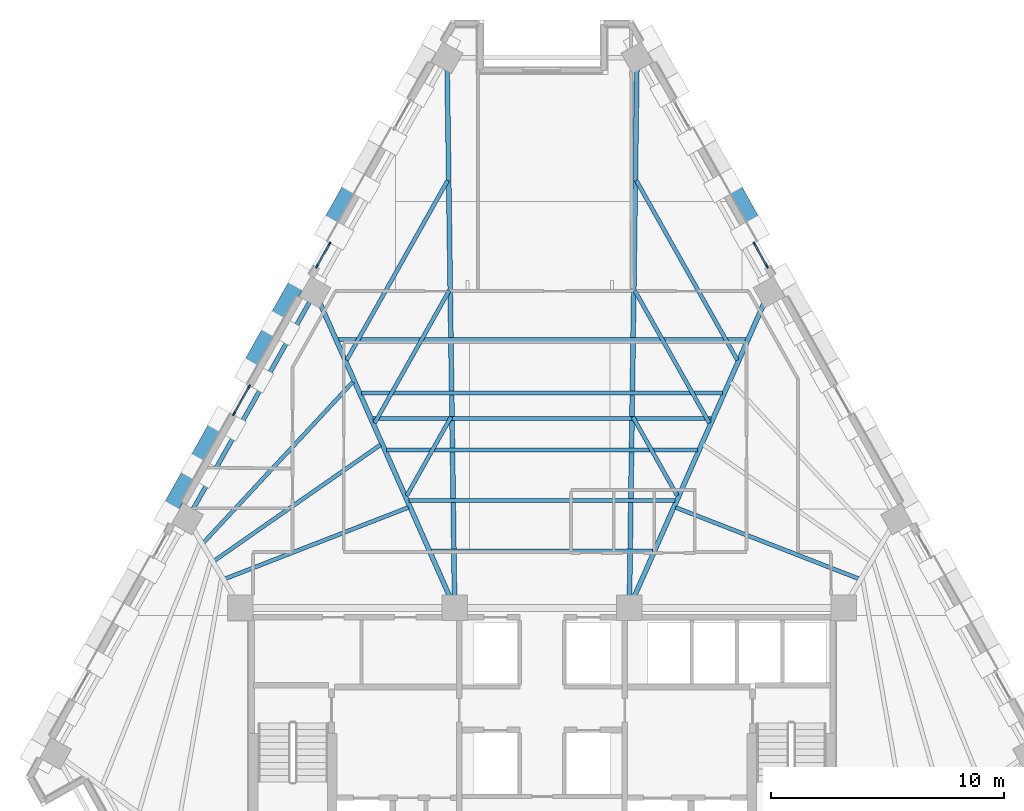
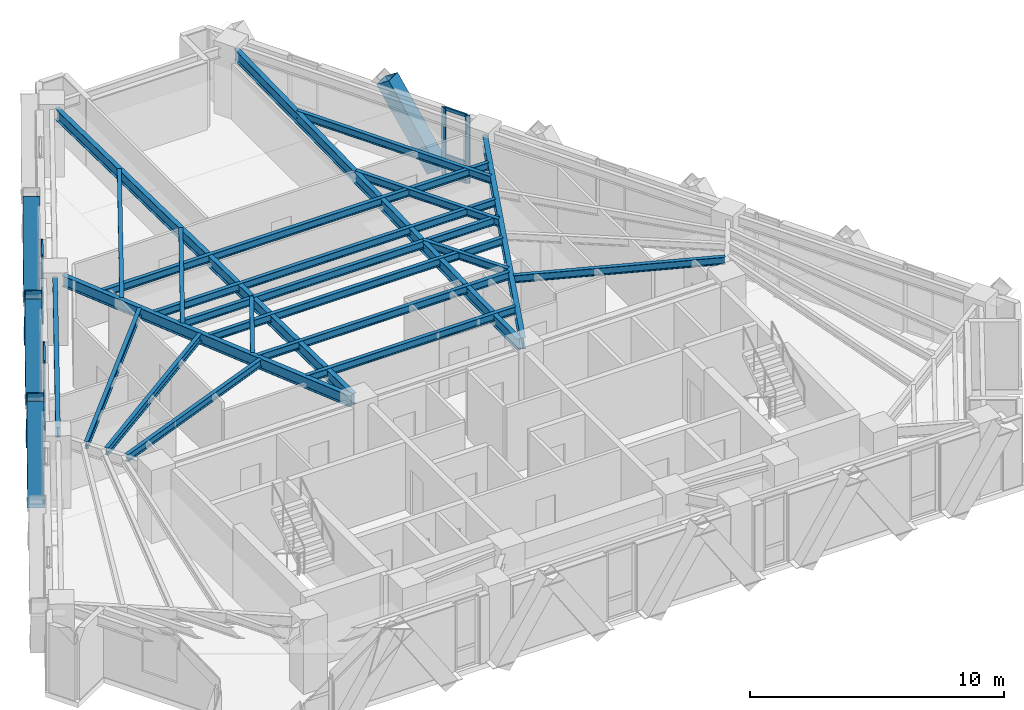
# One storey, part 3 of 13: 21 beams, 21 members, 3 elements without a shape of their own.
"""IFC4 building model written with IfcOpenShell, lengths in metres."""

from ifc_helpers import new_model, si_unit, direction, frame, origin, origin_2d, place, context, subcontext, project, spatial, rectangle, hollow_rectangle, i_section, extrude, material, material_profile, profile_set, type_object, element, aggregate, save


model = new_model("IFC4")

# Units and contexts
model_context = context("Model", 3, precision=1e-05, world=origin(), true_north=direction((0.0, 1.0)))
body_context = subcontext(model_context, "Body", "Model", "MODEL_VIEW")
ifc_project = project(units=[si_unit("LENGTHUNIT", "METRE"), si_unit("AREAUNIT", "SQUARE_METRE"), si_unit("VOLUMEUNIT", "CUBIC_METRE"), si_unit("PLANEANGLEUNIT", "RADIAN"), si_unit("MASSUNIT", "GRAM", prefix="KILO")], contexts=[model_context])

# Site, building, storey
site_placement = place(None, origin())
site = spatial("IfcSite", under=ifc_project, at=site_placement, CompositionType="ELEMENT")
building_placement = place(site_placement, origin())
building = spatial("IfcBuilding", under=site, at=building_placement, Name="Quenlor Broadcast Tower", CompositionType="ELEMENT")
storey_placement = place(building_placement, frame((0.0, 0.0, 158.0)))
storey = spatial("IfcBuildingStorey", under=building, at=storey_placement, Name="L43", CompositionType="ELEMENT", Elevation=158.0)

# Curtain wall, members
ifc_material_1 = material(Name="Architectural Terracotta and Low-E Glazing", Category="masonry")
curtain_wall_type = type_object("IfcCurtainWallType", Name="Unitised Terracotta Curtain Wall System Z3", PredefinedType="NOTDEFINED", material=ifc_material_1)
curtain_wall_1_placement = place(storey_placement, origin())
curtain_wall_1 = element("IfcCurtainWall", 1, at=curtain_wall_1_placement, inside=storey, type_object=curtain_wall_type, Name="L43 Curtain Wall CW3 (L43-NEA-G2)", PredefinedType="NOTDEFINED")
ifc_material_2 = material(Name="Aluminium 6063-T6", Category="aluminium")
ifc_material_profile_1 = material_profile(ifc_material_2, rectangle(XDim=0.070068359375, YDim=0.18994140625, at=origin_2d()))
ifc_profile_set_1 = profile_set([ifc_material_profile_1], Name="Aluminium 6063-T6 MULL70x190")
member_type_1 = type_object("IfcMemberType", Name="CW3 Aluminium Mullion MULL_CW3", PredefinedType="MULLION", material=ifc_profile_set_1)
member_1_placement = place(storey_placement, frame((9.1259765625, 10.8193359375, 0.0), z_axis=(0.0, 0.0, 1.0), x_axis=(0.871601010924, 0.490215950125, 0.0)))
member_1 = element("IfcMember", 2, at=member_1_placement, type_object=member_type_1, Name="CW3 mullion 1", PredefinedType="MULLION", context=body_context, shape_type="SweptSolid", body=[
    extrude(rectangle(XDim=0.070068359375, YDim=0.18994140625, at=origin_2d()), origin(), (0.0, 0.0, 1.0), 3.25),
])
member_2_placement = place(storey_placement, frame((9.656982421875, 9.875244140625, 0.0), z_axis=(0.0, 0.0, 1.0), x_axis=(0.871601010924, 0.490215950125, 0.0)))
member_2 = element("IfcMember", 3, at=member_2_placement, type_object=member_type_1, Name="CW3 mullion 2", PredefinedType="MULLION", context=body_context, shape_type="SweptSolid", body=[
    extrude(rectangle(XDim=0.070068359375, YDim=0.18994140625, at=origin_2d()), origin(), (0.0, 0.0, 1.0), 3.25),
])

curtain_wall_2_placement = place(storey_placement, origin())
curtain_wall_2 = element("IfcCurtainWall", 4, at=curtain_wall_2_placement, inside=storey, type_object=curtain_wall_type, Name="L43 Curtain Wall CW3 (L43-NWC-G1)", PredefinedType="NOTDEFINED")
member_3_placement = place(storey_placement, frame((-9.656982421875, 9.875244140625, 0.0), z_axis=(0.0, 0.0, 1.0), x_axis=(-0.871601010924, 0.490215950125, 0.0)))
member_3 = element("IfcMember", 5, at=member_3_placement, type_object=member_type_1, Name="CW3 mullion 1", PredefinedType="MULLION", context=body_context, shape_type="SweptSolid", body=[
    extrude(rectangle(XDim=0.070068359375, YDim=0.18994140625, at=origin_2d()), origin(), (0.0, 0.0, 1.0), 3.25),
])
member_4_placement = place(storey_placement, frame((-9.1259765625, 10.8193359375, 0.0), z_axis=(0.0, 0.0, 1.0), x_axis=(-0.871601010924, 0.490215950125, 0.0)))
member_4 = element("IfcMember", 6, at=member_4_placement, type_object=member_type_1, Name="CW3 mullion 2", PredefinedType="MULLION", context=body_context, shape_type="SweptSolid", body=[
    extrude(rectangle(XDim=0.070068359375, YDim=0.18994140625, at=origin_2d()), origin(), (0.0, 0.0, 1.0), 3.25),
])

curtain_wall_3_placement = place(storey_placement, origin())
curtain_wall_3 = element("IfcCurtainWall", 7, at=curtain_wall_3_placement, inside=storey, type_object=curtain_wall_type, Name="L43 Curtain Wall CW3 (L43-NW-G1)", PredefinedType="NOTDEFINED")
member_5_placement = place(storey_placement, frame((-13.220947265625, 3.5390625, 0.0), z_axis=(0.0, 0.0, 1.0), x_axis=(-0.871562085714, 0.490285152484, 0.0)))
member_5 = element("IfcMember", 8, at=member_5_placement, type_object=member_type_1, Name="CW3 mullion 1", PredefinedType="MULLION", context=body_context, shape_type="SweptSolid", body=[
    extrude(rectangle(XDim=0.070068359375, YDim=0.18994140625, at=origin_2d()), origin(), (0.0, 0.0, 1.0), 3.25),
])
member_6_placement = place(storey_placement, frame((-12.573974609375, 4.689208984375, 0.0), z_axis=(0.0, 0.0, 1.0), x_axis=(-0.871562085714, 0.490285152484, 0.0)))
member_6 = element("IfcMember", 9, at=member_6_placement, type_object=member_type_1, Name="CW3 mullion 2", PredefinedType="MULLION", context=body_context, shape_type="SweptSolid", body=[
    extrude(rectangle(XDim=0.070068359375, YDim=0.18994140625, at=origin_2d()), origin(), (0.0, 0.0, 1.0), 3.25),
])

# Member
ifc_material_3 = material(Name="Aluminium 6063-T6", Category="aluminium")
ifc_material_profile_2 = material_profile(ifc_material_3, rectangle(XDim=0.070068359375, YDim=0.155029296875, at=origin_2d()))
ifc_profile_set_2 = profile_set([ifc_material_profile_2], Name="Aluminium 6063-T6 TRAN70x155")
member_type_2 = type_object("IfcMemberType", Name="CW3 Aluminium Transom TRAN_CW3", PredefinedType="USERDEFINED", material=ifc_profile_set_2)
member_7_placement = place(storey_placement, frame((9.14306640625, 10.788818359375, 0.034912109375), z_axis=(0.490341317219, -0.871530488639, 0.0), x_axis=(0.871530488639, 0.490341317219, 0.0)))
member_7 = element("IfcMember", 10, at=member_7_placement, type_object=member_type_2, Name="CW3 transom 1.1", ObjectType="TRANSOM", PredefinedType="USERDEFINED", context=body_context, shape_type="SweptSolid", body=[
    extrude(rectangle(XDim=0.070068359375, YDim=0.155029296875, at=origin_2d()), origin(), (0.0, 0.0, 1.0), 1.01318359375),
])

member_8_placement = place(storey_placement, frame((9.14306640625, 10.788818359375, 0.949951171875), z_axis=(0.490341317219, -0.871530488639, 0.0), x_axis=(0.871530488639, 0.490341317219, 0.0)))
member_8 = element("IfcMember", 11, at=member_8_placement, type_object=member_type_2, Name="CW3 transom 1.2", ObjectType="TRANSOM", PredefinedType="USERDEFINED", context=body_context, shape_type="SweptSolid", body=[
    extrude(rectangle(XDim=0.070068359375, YDim=0.155029296875, at=origin_2d()), origin(), (0.0, 0.0, 1.0), 1.01318359375),
])

member_9_placement = place(storey_placement, frame((9.14306640625, 10.788818359375, 3.215087890625), z_axis=(0.490341317219, -0.871530488639, 0.0), x_axis=(0.871530488639, 0.490341317219, 0.0)))
member_9 = element("IfcMember", 12, at=member_9_placement, type_object=member_type_2, Name="CW3 transom 1.3", ObjectType="TRANSOM", PredefinedType="USERDEFINED", context=body_context, shape_type="SweptSolid", body=[
    extrude(rectangle(XDim=0.070068359375, YDim=0.155029296875, at=origin_2d()), origin(), (0.0, 0.0, 1.0), 1.01318359375),
])

aggregate(curtain_wall_1, [member_1, member_2, member_7, member_8, member_9])

member_10_placement = place(storey_placement, frame((-9.639892578125, 9.90576171875, 0.034912109375), z_axis=(0.490341317219, 0.871530488639, 0.0), x_axis=(-0.871530488639, 0.490341317219, 0.0)))
member_10 = element("IfcMember", 13, at=member_10_placement, type_object=member_type_2, Name="CW3 transom 1.1", ObjectType="TRANSOM", PredefinedType="USERDEFINED", context=body_context, shape_type="SweptSolid", body=[
    extrude(rectangle(XDim=0.070068359375, YDim=0.155029296875, at=origin_2d()), origin(), (0.0, 0.0, 1.0), 1.01318359375),
])

member_11_placement = place(storey_placement, frame((-9.639892578125, 9.90576171875, 0.949951171875), z_axis=(0.490341317219, 0.871530488639, 0.0), x_axis=(-0.871530488639, 0.490341317219, 0.0)))
member_11 = element("IfcMember", 14, at=member_11_placement, type_object=member_type_2, Name="CW3 transom 1.2", ObjectType="TRANSOM", PredefinedType="USERDEFINED", context=body_context, shape_type="SweptSolid", body=[
    extrude(rectangle(XDim=0.070068359375, YDim=0.155029296875, at=origin_2d()), origin(), (0.0, 0.0, 1.0), 1.01318359375),
])

member_12_placement = place(storey_placement, frame((-9.639892578125, 9.90576171875, 3.215087890625), z_axis=(0.490341317219, 0.871530488639, 0.0), x_axis=(-0.871530488639, 0.490341317219, 0.0)))
member_12 = element("IfcMember", 15, at=member_12_placement, type_object=member_type_2, Name="CW3 transom 1.3", ObjectType="TRANSOM", PredefinedType="USERDEFINED", context=body_context, shape_type="SweptSolid", body=[
    extrude(rectangle(XDim=0.070068359375, YDim=0.155029296875, at=origin_2d()), origin(), (0.0, 0.0, 1.0), 1.01318359375),
])

aggregate(curtain_wall_2, [member_3, member_4, member_10, member_11, member_12])

member_13_placement = place(storey_placement, frame((-13.203857421875, 3.569580078125, 0.034912109375), z_axis=(0.490363266059, 0.871518139398, 0.0), x_axis=(-0.871518139398, 0.490363266059, 0.0)))
member_13 = element("IfcMember", 16, at=member_13_placement, type_object=member_type_2, Name="CW3 transom 1.1", ObjectType="TRANSOM", PredefinedType="USERDEFINED", context=body_context, shape_type="SweptSolid", body=[
    extrude(rectangle(XDim=0.070068359375, YDim=0.155029296875, at=origin_2d()), origin(), (0.0, 0.0, 1.0), 1.249755859375),
])

member_14_placement = place(storey_placement, frame((-13.203857421875, 3.569580078125, 0.949951171875), z_axis=(0.490363266059, 0.871518139398, 0.0), x_axis=(-0.871518139398, 0.490363266059, 0.0)))
member_14 = element("IfcMember", 17, at=member_14_placement, type_object=member_type_2, Name="CW3 transom 1.2", ObjectType="TRANSOM", PredefinedType="USERDEFINED", context=body_context, shape_type="SweptSolid", body=[
    extrude(rectangle(XDim=0.070068359375, YDim=0.155029296875, at=origin_2d()), origin(), (0.0, 0.0, 1.0), 1.249755859375),
])

member_15_placement = place(storey_placement, frame((-13.203857421875, 3.569580078125, 3.215087890625), z_axis=(0.490363266059, 0.871518139398, 0.0), x_axis=(-0.871518139398, 0.490363266059, 0.0)))
member_15 = element("IfcMember", 18, at=member_15_placement, type_object=member_type_2, Name="CW3 transom 1.3", ObjectType="TRANSOM", PredefinedType="USERDEFINED", context=body_context, shape_type="SweptSolid", body=[
    extrude(rectangle(XDim=0.070068359375, YDim=0.155029296875, at=origin_2d()), origin(), (0.0, 0.0, 1.0), 1.249755859375),
])

aggregate(curtain_wall_3, [member_5, member_6, member_13, member_14, member_15])

# Members
ifc_material_4 = material(Name="Steel S355", Category="steel")
ifc_material_profile_3 = material_profile(ifc_material_4, hollow_rectangle(XDim=0.679931640625, YDim=0.679931640625, WallThickness=0.02490234375, at=origin_2d()))
ifc_profile_set_3 = profile_set([ifc_material_profile_3], Name="Steel S355 RHS680x680x25")
member_type_3 = type_object("IfcMemberType", Name="Perimeter Diagonal Lattice Brace Z3-Z4 Steel S355 RHS680x25", PredefinedType="BRACE", material=ifc_profile_set_3)
for number, where, z_axis, x_axis, name in (
    (19, (9.212158203125, 11.4716796875, -0.1201171875), (-0.27060310517, 0.481001091283, 0.833913610428), (-0.871544572467, -0.490316283845, 0.0), "L43 Perimeter Diamond Lattice NE-C2B"),
    (20, (-16.1083984375, -0.7880859375, -0.1201171875), (0.27060310517, 0.481001091283, 0.833913610428), (-0.871544572467, 0.490316283845, 0.0), "L43 Perimeter Diamond Lattice NW-C2S"),
    (21, (-12.66015625, 5.341796875, -0.1201171875), (0.2705491942, 0.481008661973, 0.833926735766), (-0.871589611547, 0.490236217596, 0.0), "L43 Perimeter Diamond Lattice NW-C3S"),
    (22, (-13.823486328125, 3.27392578125, -0.1201171875), (-0.2705491942, -0.481008661973, 0.833926735766), (0.871589611547, -0.490236217596, 0.0), "L43 Perimeter Diamond Lattice NW-C3B"),
    (23, (-9.212158203125, 11.4716796875, -0.1201171875), (0.27060310517, 0.481001091283, 0.833913610428), (-0.871544572467, 0.490316283845, 0.0), "L43 Perimeter Diamond Lattice NW-C4S"),
    (24, (-10.375244140625, 9.40380859375, -0.1201171875), (-0.2705491942, -0.481008661973, 0.833926735766), (0.871589611547, -0.490236217596, 0.0), "L43 Perimeter Diamond Lattice NW-C4B"),
):
    element("IfcMember", number, at=place(storey_placement, frame(where, z_axis=z_axis, x_axis=x_axis)), inside=storey, type_object=member_type_3, Name=name, PredefinedType="BRACE", context=body_context, shape_type="SweptSolid", body=[
        extrude(hollow_rectangle(XDim=0.679931640625, YDim=0.679931640625, WallThickness=0.02490234375, at=origin_2d()), origin(), (0.0, 0.0, 1.0), 4.197021484375),
    ])

# Beams
ifc_material_5 = material(Name="Steel S355", Category="steel")
ifc_material_profile_4 = material_profile(ifc_material_5, i_section(OverallWidth=0.19091796875, OverallDepth=0.46044921875, WebThickness=0.010009765625, FlangeThickness=0.01611328125, FilletRadius=0.011474609375, at=origin_2d()))
ifc_profile_set_4 = profile_set([ifc_material_profile_4], Name="Steel S355 460UB82.1")
beam_type_1 = type_object("IfcBeamType", Name="Perimeter Spandrel Beam Z3 Steel S355 460UB82.1", PredefinedType="SPANDREL", material=ifc_profile_set_4)
beam_1_placement = place(storey_placement, frame((-9.944091796875, 8.39599609375, 3.019775390625), z_axis=(-0.490252288562, -0.871580572041, 0.0), x_axis=(0.871580572041, -0.490252288562, 0.0)))
element("IfcBeam", 25, at=beam_1_placement, inside=storey, type_object=beam_type_1, Name="L43 Spandrel Beam NW2-NW3", PredefinedType="SPANDREL", context=body_context, shape_type="SweptSolid", body=[
    extrude(i_section(OverallWidth=0.19091796875, OverallDepth=0.46044921875, WebThickness=0.010009765625, FlangeThickness=0.01611328125, FilletRadius=0.011474609375, at=origin_2d()), origin(), (0.0, 0.0, 1.0), 10.359619140625),
])
ifc_material_6 = material(Name="Steel S355", Category="steel")
ifc_material_profile_5 = material_profile(ifc_material_6, i_section(OverallWidth=0.172119140625, OverallDepth=0.358642578125, WebThickness=0.008056640625, FlangeThickness=0.012939453125, FilletRadius=0.011474609375, at=origin_2d()))
ifc_profile_set_5 = profile_set([ifc_material_profile_5], Name="Steel S355 360UB56.7")
beam_type_2 = type_object("IfcBeamType", Name="Tower Composite Joist Z2-Z3 Steel S355 360UB56.7", PredefinedType="JOIST", material=ifc_profile_set_5)
beam_2_placement = place(storey_placement, frame((-4.748779296875, -2.3603515625, 3.07080078125), z_axis=(1.0, 0.0, 0.0), x_axis=(0.0, 1.0, 0.0)))
element("IfcBeam", 26, at=beam_2_placement, inside=storey, type_object=beam_type_2, Name="L43 Secondary Composite Joist 1", PredefinedType="JOIST", context=body_context, shape_type="SweptSolid", body=[
    extrude(i_section(OverallWidth=0.172119140625, OverallDepth=0.358642578125, WebThickness=0.008056640625, FlangeThickness=0.012939453125, FilletRadius=0.011474609375, at=origin_2d()), origin(), (0.0, 0.0, 1.0), 9.49755859375),
])
beam_3_placement = place(storey_placement, frame((-7.265869140625, 3.33203125, 3.07080078125), z_axis=(1.0, 0.0, 0.0), x_axis=(0.0, 1.0, 0.0)))
element("IfcBeam", 27, at=beam_3_placement, inside=storey, type_object=beam_type_2, Name="L43 Secondary Composite Joist 2", PredefinedType="JOIST", context=body_context, shape_type="SweptSolid", body=[
    extrude(i_section(OverallWidth=0.172119140625, OverallDepth=0.358642578125, WebThickness=0.008056640625, FlangeThickness=0.012939453125, FilletRadius=0.011474609375, at=origin_2d()), origin(), (0.0, 0.0, 1.0), 14.53173828125),
])
beam_4_placement = place(storey_placement, frame((-5.70751953125, -0.19189453125, 3.07080078125), z_axis=(1.0, 0.0, 0.0), x_axis=(0.0, 1.0, 0.0)))
element("IfcBeam", 28, at=beam_4_placement, inside=storey, type_object=beam_type_2, Name="L43 Secondary Composite Joist 3", PredefinedType="JOIST", context=body_context, shape_type="SweptSolid", body=[
    extrude(i_section(OverallWidth=0.172119140625, OverallDepth=0.358642578125, WebThickness=0.008056640625, FlangeThickness=0.012939453125, FilletRadius=0.011474609375, at=origin_2d()), origin(), (0.0, 0.0, 1.0), 11.4150390625),
])
beam_5_placement = place(storey_placement, frame((-6.66650390625, 1.976806640625, 3.07080078125), z_axis=(1.0, 0.0, 0.0), x_axis=(0.0, 1.0, 0.0)))
element("IfcBeam", 29, at=beam_5_placement, inside=storey, type_object=beam_type_2, Name="L43 Secondary Composite Joist 4", PredefinedType="JOIST", context=body_context, shape_type="SweptSolid", body=[
    extrude(i_section(OverallWidth=0.172119140625, OverallDepth=0.358642578125, WebThickness=0.008056640625, FlangeThickness=0.012939453125, FilletRadius=0.011474609375, at=origin_2d()), origin(), (0.0, 0.0, 1.0), 13.3330078125),
])
beam_6_placement = place(storey_placement, frame((-7.7451171875, 4.416259765625, 3.07080078125), z_axis=(1.0, 0.0, 0.0), x_axis=(0.0, 1.0, 0.0)))
element("IfcBeam", 30, at=beam_6_placement, inside=storey, type_object=beam_type_2, Name="L43 Secondary Composite Joist 5", PredefinedType="JOIST", context=body_context, shape_type="SweptSolid", body=[
    extrude(i_section(OverallWidth=0.172119140625, OverallDepth=0.358642578125, WebThickness=0.008056640625, FlangeThickness=0.012939453125, FilletRadius=0.011474609375, at=origin_2d()), origin(), (0.0, 0.0, 1.0), 15.490234375),
])
beam_7_placement = place(storey_placement, frame((-8.763916015625, 6.72021484375, 3.07080078125), z_axis=(1.0, 0.0, 0.0), x_axis=(0.0, 1.0, 0.0)))
element("IfcBeam", 31, at=beam_7_placement, inside=storey, type_object=beam_type_2, Name="L43 Secondary Composite Joist 6", PredefinedType="JOIST", context=body_context, shape_type="SweptSolid", body=[
    extrude(i_section(OverallWidth=0.172119140625, OverallDepth=0.358642578125, WebThickness=0.008056640625, FlangeThickness=0.012939453125, FilletRadius=0.011474609375, at=origin_2d()), origin(), (0.0, 0.0, 1.0), 17.52783203125),
])
beam_8_placement = place(storey_placement, frame((-13.60302734375, -3.552001953125, 3.07080078125), z_axis=(0.931881865797, 0.362761889121, 0.0), x_axis=(-0.362761889121, 0.931881865797, 0.0)))
element("IfcBeam", 32, at=beam_8_placement, inside=storey, type_object=beam_type_2, Name="L43 Secondary Composite Joist 7", PredefinedType="JOIST", context=body_context, shape_type="SweptSolid", body=[
    extrude(i_section(OverallWidth=0.172119140625, OverallDepth=0.358642578125, WebThickness=0.008056640625, FlangeThickness=0.012939453125, FilletRadius=0.011474609375, at=origin_2d()), origin(), (0.0, 0.0, 1.0), 8.435546875),
])
beam_9_placement = place(storey_placement, frame((-14.06689453125, -2.7734375, 3.07080078125), z_axis=(0.82026568394, 0.57198269882, 0.0), x_axis=(-0.57198269882, 0.82026568394, 0.0)))
element("IfcBeam", 33, at=beam_9_placement, inside=storey, type_object=beam_type_2, Name="L43 Secondary Composite Joist 8", PredefinedType="JOIST", context=body_context, shape_type="SweptSolid", body=[
    extrude(i_section(OverallWidth=0.172119140625, OverallDepth=0.358642578125, WebThickness=0.008056640625, FlangeThickness=0.012939453125, FilletRadius=0.011474609375, at=origin_2d()), origin(), (0.0, 0.0, 1.0), 8.698486328125),
])
beam_10_placement = place(storey_placement, frame((-14.53271484375, -1.998779296875, 3.07080078125), z_axis=(0.680873505991, 0.732401030065, 0.0), x_axis=(-0.732401030065, 0.680873505991, 0.0)))
element("IfcBeam", 34, at=beam_10_placement, inside=storey, type_object=beam_type_2, Name="L43 Secondary Composite Joist 9", PredefinedType="JOIST", context=body_context, shape_type="SweptSolid", body=[
    extrude(i_section(OverallWidth=0.172119140625, OverallDepth=0.358642578125, WebThickness=0.008056640625, FlangeThickness=0.012939453125, FilletRadius=0.011474609375, at=origin_2d()), origin(), (0.0, 0.0, 1.0), 9.419189453125),
])
beam_11_placement = place(storey_placement, frame((13.60302734375, -3.552001953125, 3.07080078125), z_axis=(-0.931881865797, 0.362761889121, 0.0), x_axis=(-0.362761889121, -0.931881865797, 0.0)))
element("IfcBeam", 35, at=beam_11_placement, inside=storey, type_object=beam_type_2, Name="L43 Secondary Composite Joist 10", PredefinedType="JOIST", context=body_context, shape_type="SweptSolid", body=[
    extrude(i_section(OverallWidth=0.172119140625, OverallDepth=0.358642578125, WebThickness=0.008056640625, FlangeThickness=0.012939453125, FilletRadius=0.011474609375, at=origin_2d()), origin(), (0.0, 0.0, 1.0), 8.435546875),
])
beam_12_placement = place(storey_placement, frame((-3.904541015625, 3.39794921875, 3.07080078125), z_axis=(-0.49026422458, -0.871573858085, 0.0), x_axis=(0.871573858085, -0.49026422458, 0.0)))
element("IfcBeam", 36, at=beam_12_placement, inside=storey, type_object=beam_type_2, Name="L43 Secondary Composite Joist 25", PredefinedType="JOIST", context=body_context, shape_type="SweptSolid", body=[
    extrude(i_section(OverallWidth=0.172119140625, OverallDepth=0.358642578125, WebThickness=0.008056640625, FlangeThickness=0.012939453125, FilletRadius=0.011474609375, at=origin_2d()), origin(), (0.0, 0.0, 1.0), 3.88330078125),
])
beam_13_placement = place(storey_placement, frame((-3.980224609375, 8.8310546875, 3.07080078125), z_axis=(-0.490266556378, -0.871572546434, 0.0), x_axis=(0.871572546434, -0.490266556378, 0.0)))
element("IfcBeam", 37, at=beam_13_placement, inside=storey, type_object=beam_type_2, Name="L43 Secondary Composite Joist 26", PredefinedType="JOIST", context=body_context, shape_type="SweptSolid", body=[
    extrude(i_section(OverallWidth=0.172119140625, OverallDepth=0.358642578125, WebThickness=0.008056640625, FlangeThickness=0.012939453125, FilletRadius=0.011474609375, at=origin_2d()), origin(), (0.0, 0.0, 1.0), 6.54052734375),
])
beam_14_placement = place(storey_placement, frame((-4.046142578125, 13.555419921875, 3.07080078125), z_axis=(-0.490254691431, -0.871579220455, 0.0), x_axis=(0.871579220455, -0.490254691431, 0.0)))
element("IfcBeam", 38, at=beam_14_placement, inside=storey, type_object=beam_type_2, Name="L43 Secondary Composite Joist 27", PredefinedType="JOIST", context=body_context, shape_type="SweptSolid", body=[
    extrude(i_section(OverallWidth=0.172119140625, OverallDepth=0.358642578125, WebThickness=0.008056640625, FlangeThickness=0.012939453125, FilletRadius=0.011474609375, at=origin_2d()), origin(), (0.0, 0.0, 1.0), 8.850830078125),
])
beam_15_placement = place(storey_placement, frame((3.904541015625, 3.39794921875, 3.07080078125), z_axis=(0.49026422458, -0.871573858085, 0.0), x_axis=(0.871573858085, 0.49026422458, 0.0)))
element("IfcBeam", 39, at=beam_15_placement, inside=storey, type_object=beam_type_2, Name="L43 Secondary Composite Joist 28", PredefinedType="JOIST", context=body_context, shape_type="SweptSolid", body=[
    extrude(i_section(OverallWidth=0.172119140625, OverallDepth=0.358642578125, WebThickness=0.008056640625, FlangeThickness=0.012939453125, FilletRadius=0.011474609375, at=origin_2d()), origin(), (0.0, 0.0, 1.0), 3.88330078125),
])
beam_16_placement = place(storey_placement, frame((3.980224609375, 8.8310546875, 3.07080078125), z_axis=(0.490266556378, -0.871572546434, 0.0), x_axis=(0.871572546434, 0.490266556378, 0.0)))
element("IfcBeam", 40, at=beam_16_placement, inside=storey, type_object=beam_type_2, Name="L43 Secondary Composite Joist 29", PredefinedType="JOIST", context=body_context, shape_type="SweptSolid", body=[
    extrude(i_section(OverallWidth=0.172119140625, OverallDepth=0.358642578125, WebThickness=0.008056640625, FlangeThickness=0.012939453125, FilletRadius=0.011474609375, at=origin_2d()), origin(), (0.0, 0.0, 1.0), 6.54052734375),
])
beam_17_placement = place(storey_placement, frame((4.046142578125, 13.555419921875, 3.07080078125), z_axis=(0.490254691431, -0.871579220455, 0.0), x_axis=(0.871579220455, 0.490254691431, 0.0)))
element("IfcBeam", 41, at=beam_17_placement, inside=storey, type_object=beam_type_2, Name="L43 Secondary Composite Joist 30", PredefinedType="JOIST", context=body_context, shape_type="SweptSolid", body=[
    extrude(i_section(OverallWidth=0.172119140625, OverallDepth=0.358642578125, WebThickness=0.008056640625, FlangeThickness=0.012939453125, FilletRadius=0.011474609375, at=origin_2d()), origin(), (0.0, 0.0, 1.0), 8.850830078125),
])
ifc_material_7 = material(Name="Steel S355", Category="steel")
ifc_material_profile_6 = material_profile(ifc_material_7, i_section(OverallWidth=0.208984375, OverallDepth=0.532958984375, WebThickness=0.01025390625, FlangeThickness=0.015625, FilletRadius=0.013916015625, at=origin_2d()))
ifc_profile_set_6 = profile_set([ifc_material_profile_6], Name="Steel S355 530UB92.4")
beam_type_3 = type_object("IfcBeamType", Name="Tower Primary Floor Beam Z3 Steel S355 530UB92.4", PredefinedType="BEAM", material=ifc_profile_set_6)
beam_18_placement = place(storey_placement, frame((9.5771484375, 8.37841796875, 2.9833984375), z_axis=(-0.404397129794, -0.914583490675, 0.0), x_axis=(0.914583490675, -0.404397129794, 0.0)))
element("IfcBeam", 42, at=beam_18_placement, inside=storey, type_object=beam_type_3, Name="L43 Primary Radial Beam NE3", PredefinedType="BEAM", context=body_context, shape_type="SweptSolid", body=[
    extrude(i_section(OverallWidth=0.208984375, OverallDepth=0.532958984375, WebThickness=0.01025390625, FlangeThickness=0.015625, FilletRadius=0.013916015625, at=origin_2d()), origin(), (0.0, 0.0, 1.0), 14.029052734375),
])
for number, where, z_axis, x_axis, name in (
    (43, (4.073486328125, 18.412109375, 2.9833984375), (-0.013931496433, -0.999902951994, 0.0), (0.999902951994, -0.013931496433, 0.0), "L43 Primary Radial Beam NE4"),
    (44, (-4.073486328125, 18.412109375, 2.9833984375), (0.013931496433, -0.999902951994, 0.0), (0.999902951994, 0.013931496433, 0.0), "L43 Primary Radial Beam NW1"),
):
    element("IfcBeam", number, at=place(storey_placement, frame(where, z_axis=z_axis, x_axis=x_axis)), inside=storey, type_object=beam_type_3, Name=name, PredefinedType="BEAM", context=body_context, shape_type="SweptSolid", body=[
        extrude(i_section(OverallWidth=0.208984375, OverallDepth=0.532958984375, WebThickness=0.01025390625, FlangeThickness=0.015625, FilletRadius=0.013916015625, at=origin_2d()), origin(), (0.0, 0.0, 1.0), 22.834228515625),
    ])
beam_19_placement = place(storey_placement, frame((-9.5771484375, 8.37841796875, 2.9833984375), z_axis=(0.404397129794, -0.914583490675, 0.0), x_axis=(0.914583490675, 0.404397129794, 0.0)))
element("IfcBeam", 45, at=beam_19_placement, inside=storey, type_object=beam_type_3, Name="L43 Primary Radial Beam NW2", PredefinedType="BEAM", context=body_context, shape_type="SweptSolid", body=[
    extrude(i_section(OverallWidth=0.208984375, OverallDepth=0.532958984375, WebThickness=0.01025390625, FlangeThickness=0.015625, FilletRadius=0.013916015625, at=origin_2d()), origin(), (0.0, 0.0, 1.0), 14.029052734375),
])

save(model, "model.ifc")
